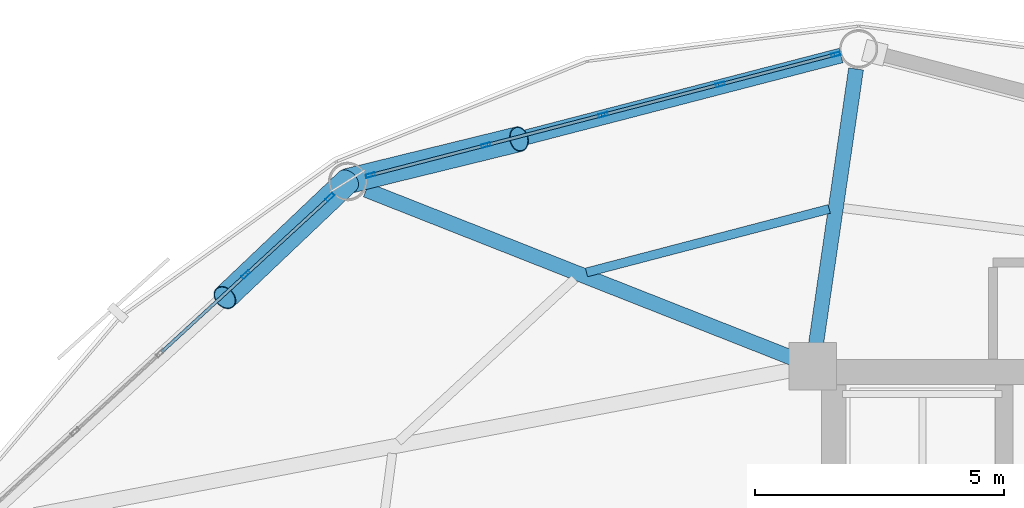
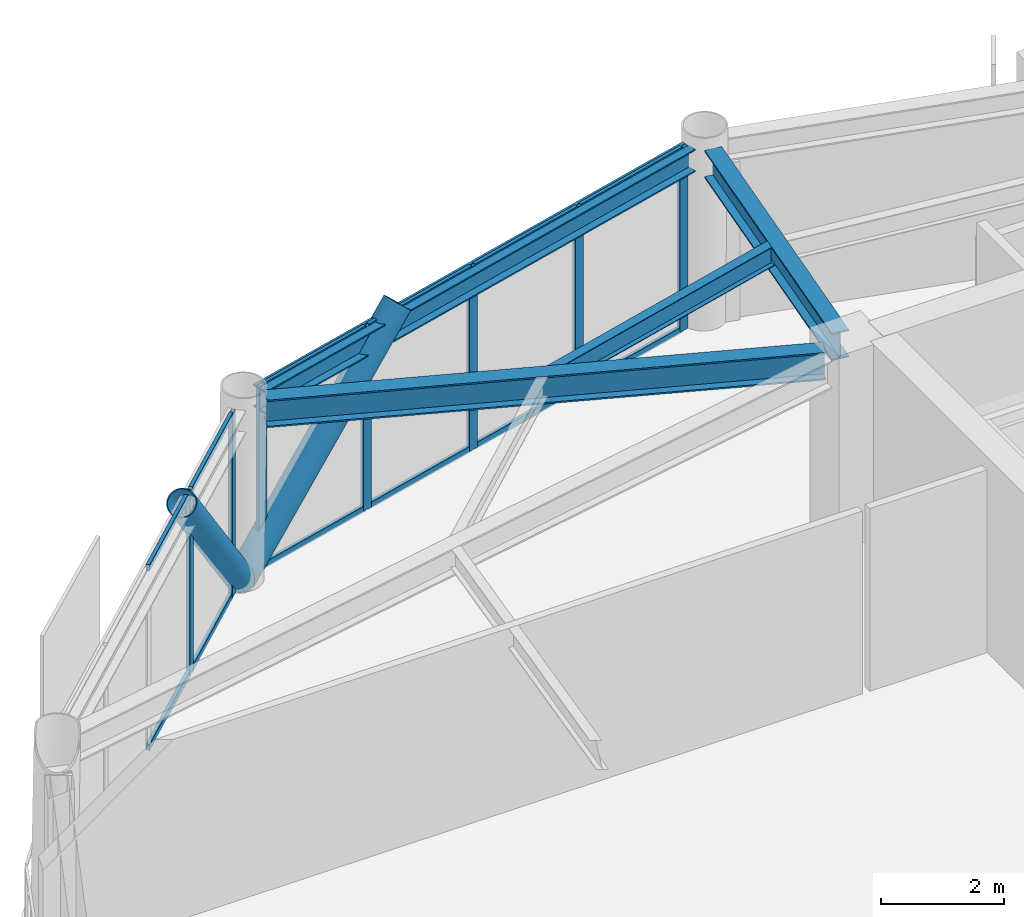
# One storey, part 18 of 25: 21 members, 4 beams, 2 elements without a shape of their own.
"""IFC4 building model written with IfcOpenShell, lengths in metres."""

from ifc_helpers import new_model, si_unit, direction, frame, origin, origin_2d, place, context, subcontext, project, spatial, hollow_rectangle, hollow_circle, i_section, extrude, material, layer, layer_set, material_profile, profile_set, type_object, element, aggregate, save


model = new_model("IFC4")

# Units and contexts
model_context = context("Model", 3, precision=1e-05, world=origin(), true_north=direction((0.0, 1.0)))
body_context = subcontext(model_context, "Body", "Model", "MODEL_VIEW")
ifc_project = project(units=[si_unit("LENGTHUNIT", "METRE"), si_unit("AREAUNIT", "SQUARE_METRE"), si_unit("VOLUMEUNIT", "CUBIC_METRE"), si_unit("PLANEANGLEUNIT", "RADIAN"), si_unit("MASSUNIT", "GRAM", prefix="KILO")], contexts=[model_context])

# Site, building, storey
site_placement = place(None, origin())
site = spatial("IfcSite", under=ifc_project, at=site_placement, CompositionType="ELEMENT")
building_placement = place(site_placement, origin())
building = spatial("IfcBuilding", under=site, at=building_placement, Name="Varnakorn Sky Granary", CompositionType="ELEMENT")
storey_placement = place(building_placement, frame((0.0, 0.0, 157.800048828125)))
storey = spatial("IfcBuildingStorey", under=building, at=storey_placement, Name="L39", CompositionType="ELEMENT", Elevation=157.800048828125)

# Beams
ifc_material_1 = material(Name="Steel S355JR", Category="steel")
ifc_material_profile_1 = material_profile(ifc_material_1, i_section(OverallWidth=0.300048828125, OverallDepth=0.550048828125, WebThickness=0.014892578125, FlangeThickness=0.029052734375, at=origin_2d()), Name="HE 550 B")
ifc_profile_set_1 = profile_set([ifc_material_profile_1], Name="Steel S355JR")
beam_type_1 = type_object("IfcBeamType", Name="BM-RAD-Z3", PredefinedType="BEAM", material=ifc_profile_set_1)
beam_1_placement = place(storey_placement, frame((-2.359619140625, 13.03564453125, 3.364990234375), z_axis=(0.143945274074, 0.98958564969, 0.0), x_axis=(-0.98958564969, 0.143945274074, 0.0)))
element("IfcBeam", 1, at=beam_1_placement, inside=storey, type_object=beam_type_1, Name="Radial Floor Girder RG04 L39", PredefinedType="BEAM", context=body_context, shape_type="SweptSolid", body=[
    extrude(i_section(OverallWidth=0.300048828125, OverallDepth=0.550048828125, WebThickness=0.014892578125, FlangeThickness=0.029052734375, at=origin_2d()), origin(), (0.0, 0.0, 1.0), 5.60546875),
])
beam_2_placement = place(storey_placement, frame((-2.810791015625, 12.774169921875, 3.364990234375), z_axis=(-0.930252808604, 0.366919217382, 0.0), x_axis=(-0.366919217382, -0.930252808604, 0.0)))
element("IfcBeam", 2, at=beam_2_placement, inside=storey, type_object=beam_type_1, Name="Radial Floor Girder RG05 L39", PredefinedType="BEAM", context=body_context, shape_type="SweptSolid", body=[
    extrude(i_section(OverallWidth=0.300048828125, OverallDepth=0.550048828125, WebThickness=0.014892578125, FlangeThickness=0.029052734375, at=origin_2d()), origin(), (0.0, 0.0, 1.0), 9.215576171875),
])
ifc_material_profile_2 = material_profile(ifc_material_1, i_section(OverallWidth=0.179931640625, OverallDepth=0.39990234375, WebThickness=0.008544921875, FlangeThickness=0.013427734375, at=origin_2d()), Name="IPE 400")
ifc_profile_set_2 = profile_set([ifc_material_profile_2], Name="Steel S355JR")
beam_type_2 = type_object("IfcBeamType", Name="BM-SEC-Z3", PredefinedType="BEAM", material=ifc_profile_set_2)
beam_3_placement = place(storey_placement, frame((-2.091552734375, 15.773681640625, 3.43994140625), z_axis=(-0.967472902853, -0.252974667199, 0.0), x_axis=(0.252974667199, -0.967472902853, 0.0)))
element("IfcBeam", 3, at=beam_3_placement, inside=storey, type_object=beam_type_2, Name="Secondary Floor Chord Beam MSB04 L39", PredefinedType="BEAM", context=body_context, shape_type="SweptSolid", body=[
    extrude(i_section(OverallWidth=0.179931640625, OverallDepth=0.39990234375, WebThickness=0.008544921875, FlangeThickness=0.013427734375, at=origin_2d()), origin(), (0.0, 0.0, 1.0), 5.033935546875),
])
ifc_material_profile_3 = material_profile(ifc_material_1, i_section(OverallWidth=0.300048828125, OverallDepth=0.449951171875, WebThickness=0.013916015625, FlangeThickness=0.02587890625, at=origin_2d()), Name="HE 450 B")
ifc_profile_set_3 = profile_set([ifc_material_profile_3], Name="Steel S355JR")
beam_type_3 = type_object("IfcBeamType", Name="BM-SPD-Z3", PredefinedType="SPANDREL", material=ifc_profile_set_3)
beam_4_placement = place(storey_placement, frame((-1.854248046875, 18.85302734375, 3.4150390625), z_axis=(-0.967893589884, -0.251360296511, 0.0), x_axis=(0.251360296511, -0.967893589884, 0.0)))
element("IfcBeam", 4, at=beam_4_placement, inside=storey, type_object=beam_type_3, Name="Perimeter Spandrel Ring Beam RB04 L39", PredefinedType="SPANDREL", context=body_context, shape_type="SweptSolid", body=[
    extrude(i_section(OverallWidth=0.300048828125, OverallDepth=0.449951171875, WebThickness=0.013916015625, FlangeThickness=0.02587890625, at=origin_2d()), origin(), (0.0, 0.0, 1.0), 9.831298828125),
])

# Curtain wall, members
ifc_material_2 = material(Name="Anodised Bronze Aluminium Alloy 6063-T6", Category="aluminium")
ifc_layer = layer(ifc_material_2, 0.179931640625, Name="Anodised Bronze Aluminium Alloy 6063-T6")
ifc_layer_set = layer_set([ifc_layer], Name="Anodised Bronze Aluminium Alloy 6063-T6")
curtain_wall_type = type_object("IfcCurtainWallType", Name="CW-FRM-2", PredefinedType="USERDEFINED", material=ifc_layer_set)
curtain_wall_1_placement = place(storey_placement, origin())
curtain_wall_1 = element("IfcCurtainWall", 5, at=curtain_wall_1_placement, inside=storey, type_object=curtain_wall_type, Name="Unitised Curtain Wall CW4 CW-L39-B04", ObjectType="CURTAIN WALL", PredefinedType="USERDEFINED")
ifc_material_profile_4 = material_profile(ifc_material_2, hollow_rectangle(XDim=0.070068359375, YDim=0.18505859375, WallThickness=0.00390625, at=origin_2d()), Name="ALU MULL 70x185")
ifc_profile_set_4 = profile_set([ifc_material_profile_4], Name="Anodised Bronze Aluminium Alloy 6063-T6")
member_type_1 = type_object("IfcMemberType", Name="CW-FRM-2-MULL", PredefinedType="MULLION", material=ifc_profile_set_4)
member_1_placement = place(storey_placement, frame((-11.296630859375, 16.451171875, 0.0), z_axis=(0.0, 0.0, 1.0), x_axis=(-0.251145766302, 0.967949277632, 0.0)))
member_1 = element("IfcMember", 6, at=member_1_placement, type_object=member_type_1, Name="CW4 mullion 1", PredefinedType="MULLION", context=body_context, shape_type="SweptSolid", body=[
    extrude(hollow_rectangle(XDim=0.070068359375, YDim=0.18505859375, WallThickness=0.00390625, at=origin_2d()), origin(), (0.0, 0.0, 1.0), 3.639892578125),
])
member_2_placement = place(storey_placement, frame((-8.979736328125, 17.05224609375, 0.0), z_axis=(0.0, 0.0, 1.0), x_axis=(-0.251145766302, 0.967949277632, 0.0)))
member_2 = element("IfcMember", 7, at=member_2_placement, type_object=member_type_1, Name="CW4 mullion 2", PredefinedType="MULLION", context=body_context, shape_type="SweptSolid", body=[
    extrude(hollow_rectangle(XDim=0.070068359375, YDim=0.18505859375, WallThickness=0.00390625, at=origin_2d()), origin(), (0.0, 0.0, 1.0), 3.639892578125),
])
member_3_placement = place(storey_placement, frame((-6.628662109375, 17.662353515625, 0.0), z_axis=(0.0, 0.0, 1.0), x_axis=(-0.251145766302, 0.967949277632, 0.0)))
member_3 = element("IfcMember", 8, at=member_3_placement, type_object=member_type_1, Name="CW4 mullion 3", PredefinedType="MULLION", context=body_context, shape_type="SweptSolid", body=[
    extrude(hollow_rectangle(XDim=0.070068359375, YDim=0.18505859375, WallThickness=0.00390625, at=origin_2d()), origin(), (0.0, 0.0, 1.0), 3.639892578125),
])
member_4_placement = place(storey_placement, frame((-4.27783203125, 18.272216796875, 0.0), z_axis=(0.0, 0.0, 1.0), x_axis=(-0.251145766302, 0.967949277632, 0.0)))
member_4 = element("IfcMember", 9, at=member_4_placement, type_object=member_type_1, Name="CW4 mullion 4", PredefinedType="MULLION", context=body_context, shape_type="SweptSolid", body=[
    extrude(hollow_rectangle(XDim=0.070068359375, YDim=0.18505859375, WallThickness=0.00390625, at=origin_2d()), origin(), (0.0, 0.0, 1.0), 3.639892578125),
])
member_5_placement = place(storey_placement, frame((-1.960693359375, 18.873291015625, 0.0), z_axis=(0.0, 0.0, 1.0), x_axis=(-0.251145766302, 0.967949277632, 0.0)))
member_5 = element("IfcMember", 10, at=member_5_placement, type_object=member_type_1, Name="CW4 mullion 5", PredefinedType="MULLION", context=body_context, shape_type="SweptSolid", body=[
    extrude(hollow_rectangle(XDim=0.070068359375, YDim=0.18505859375, WallThickness=0.00390625, at=origin_2d()), origin(), (0.0, 0.0, 1.0), 3.639892578125),
])

curtain_wall_2_placement = place(storey_placement, origin())
curtain_wall_2 = element("IfcCurtainWall", 11, at=curtain_wall_2_placement, inside=storey, type_object=curtain_wall_type, Name="Unitised Curtain Wall CW4 CW-L39-B05", ObjectType="CURTAIN WALL", PredefinedType="USERDEFINED")
member_6_placement = place(storey_placement, frame((-13.797119140625, 14.456787109375, 0.0), z_axis=(0.0, 0.0, 1.0), x_axis=(-0.676758169844, 0.73620539223, 0.0)))
member_6 = element("IfcMember", 12, at=member_6_placement, type_object=member_type_1, Name="CW4 mullion 4", PredefinedType="MULLION", context=body_context, shape_type="SweptSolid", body=[
    extrude(hollow_rectangle(XDim=0.070068359375, YDim=0.18505859375, WallThickness=0.00390625, at=origin_2d()), origin(), (0.0, 0.0, 1.0), 3.639892578125),
])
member_7_placement = place(storey_placement, frame((-12.10791015625, 16.009521484375, 0.0), z_axis=(0.0, 0.0, 1.0), x_axis=(-0.676758169844, 0.73620539223, 0.0)))
member_7 = element("IfcMember", 13, at=member_7_placement, type_object=member_type_1, Name="CW4 mullion 5", PredefinedType="MULLION", context=body_context, shape_type="SweptSolid", body=[
    extrude(hollow_rectangle(XDim=0.070068359375, YDim=0.18505859375, WallThickness=0.00390625, at=origin_2d()), origin(), (0.0, 0.0, 1.0), 3.639892578125),
])

# Member
ifc_material_profile_5 = material_profile(ifc_material_2, hollow_rectangle(XDim=0.06494140625, YDim=0.1201171875, WallThickness=0.00341796875, at=origin_2d()), Name="ALU TRAN 65x120")
ifc_profile_set_5 = profile_set([ifc_material_profile_5], Name="Anodised Bronze Aluminium Alloy 6063-T6")
member_type_2 = type_object("IfcMemberType", Name="CW-FRM-2-TRAN", PredefinedType="USERDEFINED", material=ifc_profile_set_5)
member_8_placement = place(storey_placement, frame((-11.262939453125, 16.4599609375, 0.032470703125), z_axis=(0.967960020585, 0.251104357885, 0.0), x_axis=(-0.251104357885, 0.967960020585, 0.0)))
member_8 = element("IfcMember", 14, at=member_8_placement, type_object=member_type_2, Name="CW4 transom 1.1", ObjectType="TRANSOM", PredefinedType="USERDEFINED", context=body_context, shape_type="SweptSolid", body=[
    extrude(hollow_rectangle(XDim=0.06494140625, YDim=0.1201171875, WallThickness=0.00341796875, at=origin_2d()), origin(), (0.0, 0.0, 1.0), 2.32373046875),
])

member_9_placement = place(storey_placement, frame((-11.262939453125, 16.4599609375, 3.607421875), z_axis=(0.967960020585, 0.251104357885, 0.0), x_axis=(-0.251104357885, 0.967960020585, 0.0)))
member_9 = element("IfcMember", 15, at=member_9_placement, type_object=member_type_2, Name="CW4 transom 1.2", ObjectType="TRANSOM", PredefinedType="USERDEFINED", context=body_context, shape_type="SweptSolid", body=[
    extrude(hollow_rectangle(XDim=0.06494140625, YDim=0.1201171875, WallThickness=0.00341796875, at=origin_2d()), origin(), (0.0, 0.0, 1.0), 2.32373046875),
])

member_10_placement = place(storey_placement, frame((-8.94580078125, 17.06103515625, 0.032470703125), z_axis=(0.967936339532, 0.251195626181, 0.0), x_axis=(-0.251195626181, 0.967936339532, 0.0)))
member_10 = element("IfcMember", 16, at=member_10_placement, type_object=member_type_2, Name="CW4 transom 2.1", ObjectType="TRANSOM", PredefinedType="USERDEFINED", context=body_context, shape_type="SweptSolid", body=[
    extrude(hollow_rectangle(XDim=0.06494140625, YDim=0.1201171875, WallThickness=0.00341796875, at=origin_2d()), origin(), (0.0, 0.0, 1.0), 2.35888671875),
])

member_11_placement = place(storey_placement, frame((-8.94580078125, 17.06103515625, 3.607421875), z_axis=(0.967936339532, 0.251195626181, 0.0), x_axis=(-0.251195626181, 0.967936339532, 0.0)))
member_11 = element("IfcMember", 17, at=member_11_placement, type_object=member_type_2, Name="CW4 transom 2.2", ObjectType="TRANSOM", PredefinedType="USERDEFINED", context=body_context, shape_type="SweptSolid", body=[
    extrude(hollow_rectangle(XDim=0.06494140625, YDim=0.1201171875, WallThickness=0.00341796875, at=origin_2d()), origin(), (0.0, 0.0, 1.0), 2.35888671875),
])

member_12_placement = place(storey_placement, frame((-6.594970703125, 17.671142578125, 0.032470703125), z_axis=(0.967961500574, 0.251098652737, 0.0), x_axis=(-0.251098652737, 0.967961500574, 0.0)))
member_12 = element("IfcMember", 18, at=member_12_placement, type_object=member_type_2, Name="CW4 transom 3.1", ObjectType="TRANSOM", PredefinedType="USERDEFINED", context=body_context, shape_type="SweptSolid", body=[
    extrude(hollow_rectangle(XDim=0.06494140625, YDim=0.1201171875, WallThickness=0.00341796875, at=origin_2d()), origin(), (0.0, 0.0, 1.0), 2.35888671875),
])

member_13_placement = place(storey_placement, frame((-6.594970703125, 17.671142578125, 3.607421875), z_axis=(0.967961500574, 0.251098652737, 0.0), x_axis=(-0.251098652737, 0.967961500574, 0.0)))
member_13 = element("IfcMember", 19, at=member_13_placement, type_object=member_type_2, Name="CW4 transom 3.2", ObjectType="TRANSOM", PredefinedType="USERDEFINED", context=body_context, shape_type="SweptSolid", body=[
    extrude(hollow_rectangle(XDim=0.06494140625, YDim=0.1201171875, WallThickness=0.00341796875, at=origin_2d()), origin(), (0.0, 0.0, 1.0), 2.35888671875),
])

member_14_placement = place(storey_placement, frame((-4.243896484375, 18.281005859375, 0.032470703125), z_axis=(0.967960020585, 0.251104357885, 0.0), x_axis=(-0.251104357885, 0.967960020585, 0.0)))
member_14 = element("IfcMember", 20, at=member_14_placement, type_object=member_type_2, Name="CW4 transom 4.1", ObjectType="TRANSOM", PredefinedType="USERDEFINED", context=body_context, shape_type="SweptSolid", body=[
    extrude(hollow_rectangle(XDim=0.06494140625, YDim=0.1201171875, WallThickness=0.00341796875, at=origin_2d()), origin(), (0.0, 0.0, 1.0), 2.32373046875),
])

member_15_placement = place(storey_placement, frame((-4.243896484375, 18.281005859375, 3.607421875), z_axis=(0.967960020585, 0.251104357885, 0.0), x_axis=(-0.251104357885, 0.967960020585, 0.0)))
member_15 = element("IfcMember", 21, at=member_15_placement, type_object=member_type_2, Name="CW4 transom 4.2", ObjectType="TRANSOM", PredefinedType="USERDEFINED", context=body_context, shape_type="SweptSolid", body=[
    extrude(hollow_rectangle(XDim=0.06494140625, YDim=0.1201171875, WallThickness=0.00341796875, at=origin_2d()), origin(), (0.0, 0.0, 1.0), 2.32373046875),
])

aggregate(curtain_wall_1, [member_1, member_2, member_3, member_4, member_5, member_8, member_9, member_10, member_11, member_12, member_13, member_14, member_15])

member_16_placement = place(storey_placement, frame((-15.486328125, 12.904052734375, 0.032470703125), z_axis=(0.736247494984, 0.676712365877, 0.0), x_axis=(-0.676712365877, 0.736247494984, 0.0)))
member_16 = element("IfcMember", 22, at=member_16_placement, type_object=member_type_2, Name="CW4 transom 3.1", ObjectType="TRANSOM", PredefinedType="USERDEFINED", context=body_context, shape_type="SweptSolid", body=[
    extrude(hollow_rectangle(XDim=0.06494140625, YDim=0.1201171875, WallThickness=0.00341796875, at=origin_2d()), origin(), (0.0, 0.0, 1.0), 2.259521484375),
])

member_17_placement = place(storey_placement, frame((-15.486328125, 12.904052734375, 3.607421875), z_axis=(0.736247494984, 0.676712365877, 0.0), x_axis=(-0.676712365877, 0.736247494984, 0.0)))
member_17 = element("IfcMember", 23, at=member_17_placement, type_object=member_type_2, Name="CW4 transom 3.2", ObjectType="TRANSOM", PredefinedType="USERDEFINED", context=body_context, shape_type="SweptSolid", body=[
    extrude(hollow_rectangle(XDim=0.06494140625, YDim=0.1201171875, WallThickness=0.00341796875, at=origin_2d()), origin(), (0.0, 0.0, 1.0), 2.259521484375),
])

member_18_placement = place(storey_placement, frame((-13.771240234375, 14.48046875, 0.032470703125), z_axis=(0.736173791473, 0.676792544838, 0.0), x_axis=(-0.676792544838, 0.736173791473, 0.0)))
member_18 = element("IfcMember", 24, at=member_18_placement, type_object=member_type_2, Name="CW4 transom 4.1", ObjectType="TRANSOM", PredefinedType="USERDEFINED", context=body_context, shape_type="SweptSolid", body=[
    extrude(hollow_rectangle(XDim=0.06494140625, YDim=0.1201171875, WallThickness=0.00341796875, at=origin_2d()), origin(), (0.0, 0.0, 1.0), 2.224365234375),
])

member_19_placement = place(storey_placement, frame((-13.771240234375, 14.48046875, 3.607421875), z_axis=(0.736173791473, 0.676792544838, 0.0), x_axis=(-0.676792544838, 0.736173791473, 0.0)))
member_19 = element("IfcMember", 25, at=member_19_placement, type_object=member_type_2, Name="CW4 transom 4.2", ObjectType="TRANSOM", PredefinedType="USERDEFINED", context=body_context, shape_type="SweptSolid", body=[
    extrude(hollow_rectangle(XDim=0.06494140625, YDim=0.1201171875, WallThickness=0.00341796875, at=origin_2d()), origin(), (0.0, 0.0, 1.0), 2.224365234375),
])

aggregate(curtain_wall_2, [member_6, member_7, member_16, member_17, member_18, member_19])

# Members
ifc_material_3 = material(Name="Steel S460M", Category="steel")
ifc_material_profile_6 = material_profile(ifc_material_3, hollow_circle(Radius=0.25390625, WallThickness=0.01806640625, at=origin_2d()), Name="CHS 508x18")
ifc_profile_set_6 = profile_set([ifc_material_profile_6], Name="Steel S460M")
member_type_3 = type_object("IfcMemberType", Name="MB-DIAG-T2", PredefinedType="BRACE", material=ifc_profile_set_6)
member_20_placement = place(storey_placement, frame((-11.757568359375, 16.33154296875, 0.0), z_axis=(0.663323897557, 0.162525412652, 0.730470326004), x_axis=(-0.237977504547, 0.971270666359, 0.0)))
element("IfcMember", 26, at=member_20_placement, inside=storey, type_object=member_type_3, Name="Perimeter CHS Diagrid Brace DG04 L39", PredefinedType="BRACE", context=body_context, shape_type="SweptSolid", body=[
    extrude(hollow_circle(Radius=0.25390625, WallThickness=0.01806640625, at=origin_2d()), origin(), (0.0, 0.0, 1.0), 5.1884765625),
])
member_21_placement = place(storey_placement, frame((-11.757568359375, 16.33154296875, 0.0), z_axis=(-0.483777998943, -0.459303563921, 0.744982606447), x_axis=(0.688524443345, -0.72521313482, 0.0)))
element("IfcMember", 27, at=member_21_placement, inside=storey, type_object=member_type_3, Name="Perimeter CHS Diagrid Brace DG05 L39", PredefinedType="BRACE", context=body_context, shape_type="SweptSolid", body=[
    extrude(hollow_circle(Radius=0.25390625, WallThickness=0.01806640625, at=origin_2d()), origin(), (0.0, 0.0, 1.0), 5.08740234375),
])

save(model, "model.ifc")
